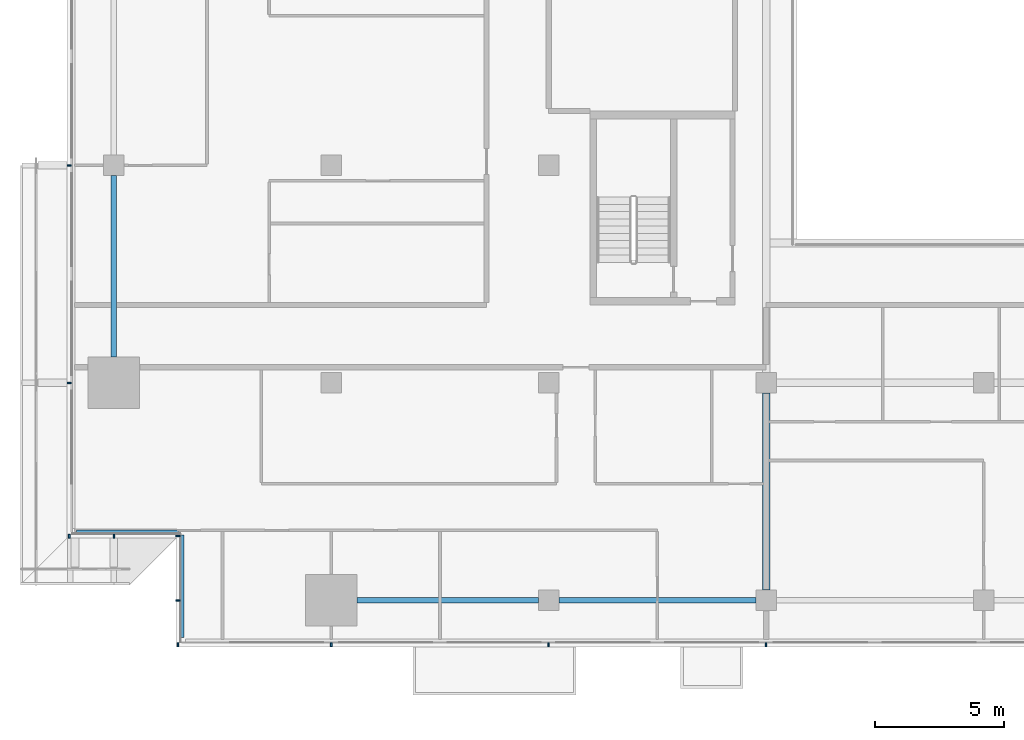
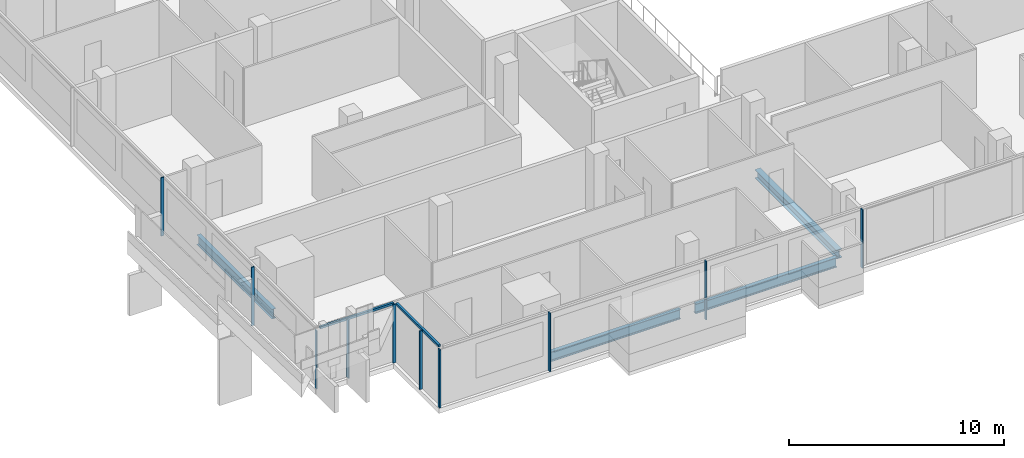
# One storey, part 2 of 29: 12 members, 4 beams, 4 elements without a shape of their own.
"""IFC4 building model written with IfcOpenShell, lengths in metres."""

from ifc_helpers import new_model, si_unit, direction, frame, origin, origin_2d, place, context, subcontext, project, spatial, rectangle, i_section, extrude, material, material_profile, profile_set, type_object, element, aggregate, save


model = new_model("IFC4")

# Units and contexts
model_context = context("Model", 3, precision=1e-05, world=origin(), true_north=direction((0.0, 1.0)))
body_context = subcontext(model_context, "Body", "Model", "MODEL_VIEW")
ifc_project = project(units=[si_unit("LENGTHUNIT", "METRE"), si_unit("AREAUNIT", "SQUARE_METRE"), si_unit("VOLUMEUNIT", "CUBIC_METRE"), si_unit("PLANEANGLEUNIT", "RADIAN"), si_unit("MASSUNIT", "GRAM", prefix="KILO")], contexts=[model_context])

# Site, building, storey
site_placement = place(None, origin())
site = spatial("IfcSite", under=ifc_project, at=site_placement, CompositionType="ELEMENT")
building_placement = place(site_placement, origin())
building = spatial("IfcBuilding", under=site, at=building_placement, Name="Saffron Gate Tower", CompositionType="ELEMENT")
storey_placement = place(building_placement, frame((0.0, 0.0, 113.25)))
storey = spatial("IfcBuildingStorey", under=building, at=storey_placement, Name="L26", CompositionType="ELEMENT", Elevation=113.25)

# Beams
ifc_material_1 = material(Name="Structural steel S355", Category="steel")
ifc_material_profile_1 = material_profile(ifc_material_1, i_section(OverallWidth=0.2099609375, OverallDepth=0.550048828125, WebThickness=0.010986328125, FlangeThickness=0.01708984375, FilletRadius=0.02392578125, at=origin_2d()))
ifc_profile_set_1 = profile_set([ifc_material_profile_1], Name="Structural steel S355")
beam_type_1 = type_object("IfcBeamType", Name="B13 IPE 550", PredefinedType="SPANDREL", material=ifc_profile_set_1)
for number, where, z_axis, x_axis, name in (
    (1, (49.800048828125, 41.199951171875, -0.554931640625), (0.0, 1.0, 0.0), (-1.0, 0.0, 0.0), "B13 SPANDREL BEAM"),
    (2, (59.199951171875, 31.800048828125, -0.554931640625), (1.0, 0.0, 0.0), (0.0, 1.0, 0.0), "B13 SPANDREL BEAM"),
):
    element("IfcBeam", number, at=place(storey_placement, frame(where, z_axis=z_axis, x_axis=x_axis)), inside=storey, type_object=beam_type_1, Name=name, PredefinedType="SPANDREL", context=body_context, shape_type="SweptSolid", body=[
        extrude(i_section(OverallWidth=0.2099609375, OverallDepth=0.550048828125, WebThickness=0.010986328125, FlangeThickness=0.01708984375, FilletRadius=0.02392578125, at=origin_2d()), origin(), (0.0, 0.0, 1.0), 7.0),
    ])
beam_1_placement = place(storey_placement, frame((67.0, 31.800048828125, -0.554931640625), z_axis=(1.0, 0.0, 0.0), x_axis=(0.0, 1.0, 0.0)))
element("IfcBeam", 3, at=beam_1_placement, inside=storey, type_object=beam_type_1, Name="B13 SPANDREL BEAM", PredefinedType="SPANDREL", context=body_context, shape_type="SweptSolid", body=[
    extrude(i_section(OverallWidth=0.2099609375, OverallDepth=0.550048828125, WebThickness=0.010986328125, FlangeThickness=0.01708984375, FilletRadius=0.02392578125, at=origin_2d()), origin(), (0.0, 0.0, 1.0), 7.60009765625),
])
ifc_material_profile_2 = material_profile(ifc_material_1, i_section(OverallWidth=0.300048828125, OverallDepth=0.489990234375, WebThickness=0.011962890625, FlangeThickness=0.02294921875, FilletRadius=0.027099609375, at=origin_2d()))
ifc_profile_set_2 = profile_set([ifc_material_profile_2], Name="Structural steel S355")
beam_type_2 = type_object("IfcBeamType", Name="B8 HEA 500", PredefinedType="BEAM", material=ifc_profile_set_2)
beam_2_placement = place(storey_placement, frame((75.0, 32.199951171875, -0.52490234375), z_axis=(0.0, 1.0, 0.0), x_axis=(-1.0, 0.0, 0.0)))
element("IfcBeam", 4, at=beam_2_placement, inside=storey, type_object=beam_type_2, Name="B8 FLOOR GIRDER", PredefinedType="BEAM", context=body_context, shape_type="SweptSolid", body=[
    extrude(i_section(OverallWidth=0.300048828125, OverallDepth=0.489990234375, WebThickness=0.011962890625, FlangeThickness=0.02294921875, FilletRadius=0.027099609375, at=origin_2d()), origin(), (0.0, 0.0, 1.0), 7.60009765625),
])

# Curtain wall, members
ifc_material_2 = material(Name="Aluminium, bronze anodised", Category="aluminium")
curtain_wall_type_1 = type_object("IfcCurtainWallType", Name="CWS1 curtain wall front facade", PredefinedType="NOTDEFINED", material=ifc_material_2)
curtain_wall_1_placement = place(storey_placement, origin())
curtain_wall_1 = element("IfcCurtainWall", 5, at=curtain_wall_1_placement, inside=storey, type_object=curtain_wall_type_1, Name="CWS1 run 1", PredefinedType="NOTDEFINED")
ifc_material_profile_3 = material_profile(ifc_material_2, rectangle(XDim=0.159912109375, YDim=0.06005859375, at=origin_2d()))
ifc_profile_set_3 = profile_set([ifc_material_profile_3], Name="Aluminium, bronze anodised")
member_type_1 = type_object("IfcMemberType", Name="CWS1 mullion 60x160", PredefinedType="MULLION", material=ifc_profile_set_3)
member_1_placement = place(storey_placement, frame((52.280029296875, 30.080078125, 0.0), z_axis=(0.0, 0.0, 1.0), x_axis=(0.0, 1.0, 0.0)))
member_1 = element("IfcMember", 6, at=member_1_placement, type_object=member_type_1, Name="CWS1 mullion 1", PredefinedType="MULLION", context=body_context, shape_type="SweptSolid", body=[
    extrude(rectangle(XDim=0.159912109375, YDim=0.06005859375, at=origin_2d()), origin(), (0.0, 0.0, 1.0), 3.320068359375),
])
member_2_placement = place(storey_placement, frame((58.199951171875, 30.080078125, 0.0), z_axis=(0.0, 0.0, 1.0), x_axis=(0.0, 1.0, 0.0)))
member_2 = element("IfcMember", 7, at=member_2_placement, type_object=member_type_1, Name="CWS1 mullion 2", PredefinedType="MULLION", context=body_context, shape_type="SweptSolid", body=[
    extrude(rectangle(XDim=0.159912109375, YDim=0.06005859375, at=origin_2d()), origin(), (0.0, 0.0, 1.0), 3.320068359375),
])
member_3_placement = place(storey_placement, frame((66.60009765625, 30.080078125, 0.0), z_axis=(0.0, 0.0, 1.0), x_axis=(0.0, 1.0, 0.0)))
member_3 = element("IfcMember", 8, at=member_3_placement, type_object=member_type_1, Name="CWS1 mullion 3", PredefinedType="MULLION", context=body_context, shape_type="SweptSolid", body=[
    extrude(rectangle(XDim=0.159912109375, YDim=0.06005859375, at=origin_2d()), origin(), (0.0, 0.0, 1.0), 3.320068359375),
])
member_4_placement = place(storey_placement, frame((75.0, 30.080078125, 0.0), z_axis=(0.0, 0.0, 1.0), x_axis=(0.0, 1.0, 0.0)))
member_4 = element("IfcMember", 9, at=member_4_placement, type_object=member_type_1, Name="CWS1 mullion 4", PredefinedType="MULLION", context=body_context, shape_type="SweptSolid", body=[
    extrude(rectangle(XDim=0.159912109375, YDim=0.06005859375, at=origin_2d()), origin(), (0.0, 0.0, 1.0), 3.320068359375),
])
aggregate(curtain_wall_1, [member_1, member_2, member_3, member_4])

curtain_wall_type_2 = type_object("IfcCurtainWallType", Name="CWS2 curtain wall side facades", PredefinedType="NOTDEFINED", material=ifc_material_2)
curtain_wall_2_placement = place(storey_placement, origin())
curtain_wall_2 = element("IfcCurtainWall", 10, at=curtain_wall_2_placement, inside=storey, type_object=curtain_wall_type_2, Name="CWS2 run 10", PredefinedType="NOTDEFINED")
ifc_material_profile_4 = material_profile(ifc_material_2, rectangle(XDim=0.159912109375, YDim=0.06005859375, at=origin_2d()))
ifc_profile_set_4 = profile_set([ifc_material_profile_4], Name="Aluminium, bronze anodised")
member_type_2 = type_object("IfcMemberType", Name="CWS2 mullion 60x160", PredefinedType="MULLION", material=ifc_profile_set_4)
member_5_placement = place(storey_placement, frame((48.080078125, 48.60009765625, 0.0), z_axis=(0.0, 0.0, 1.0), x_axis=(1.0, 0.0, 0.0)))
member_5 = element("IfcMember", 11, at=member_5_placement, type_object=member_type_2, Name="CWS2 mullion 4", PredefinedType="MULLION", context=body_context, shape_type="SweptSolid", body=[
    extrude(rectangle(XDim=0.159912109375, YDim=0.06005859375, at=origin_2d()), origin(), (0.0, 0.0, 1.0), 3.320068359375),
])
member_6_placement = place(storey_placement, frame((48.080078125, 40.199951171875, 0.0), z_axis=(0.0, 0.0, 1.0), x_axis=(1.0, 0.0, 0.0)))
member_6 = element("IfcMember", 12, at=member_6_placement, type_object=member_type_2, Name="CWS2 mullion 5", PredefinedType="MULLION", context=body_context, shape_type="SweptSolid", body=[
    extrude(rectangle(XDim=0.159912109375, YDim=0.06005859375, at=origin_2d()), origin(), (0.0, 0.0, 1.0), 3.320068359375),
])
aggregate(curtain_wall_2, [member_5, member_6])

# Curtain wall, member
curtain_wall_type_3 = type_object("IfcCurtainWallType", Name="CWS4 curtain wall corner returns", PredefinedType="NOTDEFINED", material=ifc_material_2)
curtain_wall_3_placement = place(storey_placement, origin())
curtain_wall_3 = element("IfcCurtainWall", 13, at=curtain_wall_3_placement, inside=storey, type_object=curtain_wall_type_3, Name="CWS4 run 11", PredefinedType="NOTDEFINED")
ifc_material_profile_5 = material_profile(ifc_material_2, rectangle(XDim=0.1201171875, YDim=0.1201171875, at=origin_2d()))
ifc_profile_set_5 = profile_set([ifc_material_profile_5], Name="Aluminium, bronze anodised")
member_type_3 = type_object("IfcMemberType", Name="CWS4 head transom", PredefinedType="USERDEFINED", material=ifc_profile_set_5)
member_7_placement = place(storey_placement, frame((48.367919921875, 34.447998046875, 3.260009765625), z_axis=(1.0, 0.0, 0.0), x_axis=(0.0, 1.0, 0.0)))
member_7 = element("IfcMember", 14, at=member_7_placement, type_object=member_type_3, Name="CWS4 head transom", ObjectType="TRANSOM", PredefinedType="USERDEFINED", context=body_context, shape_type="SweptSolid", body=[
    extrude(rectangle(XDim=0.1201171875, YDim=0.1201171875, at=origin_2d()), origin(), (0.0, 0.0, 1.0), 3.9599609375),
])

curtain_wall_4_placement = place(storey_placement, origin())
curtain_wall_4 = element("IfcCurtainWall", 15, at=curtain_wall_4_placement, inside=storey, type_object=curtain_wall_type_3, Name="CWS4 run 12", PredefinedType="NOTDEFINED")
member_8_placement = place(storey_placement, frame((52.447998046875, 34.327880859375, 3.260009765625), z_axis=(0.0, -1.0, 0.0), x_axis=(1.0, 0.0, 0.0)))
member_8 = element("IfcMember", 16, at=member_8_placement, type_object=member_type_3, Name="CWS4 head transom", ObjectType="TRANSOM", PredefinedType="USERDEFINED", context=body_context, shape_type="SweptSolid", body=[
    extrude(rectangle(XDim=0.1201171875, YDim=0.1201171875, at=origin_2d()), origin(), (0.0, 0.0, 1.0), 3.9599609375),
])

# Member
ifc_material_profile_6 = material_profile(ifc_material_2, rectangle(XDim=0.159912109375, YDim=0.06005859375, at=origin_2d()))
ifc_profile_set_6 = profile_set([ifc_material_profile_6], Name="Aluminium, bronze anodised")
member_type_4 = type_object("IfcMemberType", Name="CWS4 mullion 60x160", PredefinedType="MULLION", material=ifc_profile_set_6)
member_9_placement = place(storey_placement, frame((48.080078125, 34.280029296875, 0.0), z_axis=(0.0, 0.0, 1.0), x_axis=(0.0, 1.0, 0.0)))
member_9 = element("IfcMember", 17, at=member_9_placement, type_object=member_type_4, Name="CWS4 mullion 1", PredefinedType="MULLION", context=body_context, shape_type="SweptSolid", body=[
    extrude(rectangle(XDim=0.159912109375, YDim=0.06005859375, at=origin_2d()), origin(), (0.0, 0.0, 1.0), 3.320068359375),
])

member_10_placement = place(storey_placement, frame((49.800048828125, 34.280029296875, 0.0), z_axis=(0.0, 0.0, 1.0), x_axis=(0.0, 1.0, 0.0)))
member_10 = element("IfcMember", 18, at=member_10_placement, type_object=member_type_4, Name="CWS4 mullion 2", PredefinedType="MULLION", context=body_context, shape_type="SweptSolid", body=[
    extrude(rectangle(XDim=0.159912109375, YDim=0.06005859375, at=origin_2d()), origin(), (0.0, 0.0, 1.0), 3.320068359375),
])

aggregate(curtain_wall_3, [member_9, member_10, member_7])

member_11_placement = place(storey_placement, frame((52.280029296875, 34.280029296875, 0.0), z_axis=(0.0, 0.0, 1.0), x_axis=(1.0, 0.0, 0.0)))
member_11 = element("IfcMember", 19, at=member_11_placement, type_object=member_type_4, Name="CWS4 mullion 1", PredefinedType="MULLION", context=body_context, shape_type="SweptSolid", body=[
    extrude(rectangle(XDim=0.159912109375, YDim=0.06005859375, at=origin_2d()), origin(), (0.0, 0.0, 1.0), 3.320068359375),
])

member_12_placement = place(storey_placement, frame((52.280029296875, 31.800048828125, 0.0), z_axis=(0.0, 0.0, 1.0), x_axis=(1.0, 0.0, 0.0)))
member_12 = element("IfcMember", 20, at=member_12_placement, type_object=member_type_4, Name="CWS4 mullion 2", PredefinedType="MULLION", context=body_context, shape_type="SweptSolid", body=[
    extrude(rectangle(XDim=0.159912109375, YDim=0.06005859375, at=origin_2d()), origin(), (0.0, 0.0, 1.0), 3.320068359375),
])

aggregate(curtain_wall_4, [member_11, member_12, member_8])

save(model, "model.ifc")
